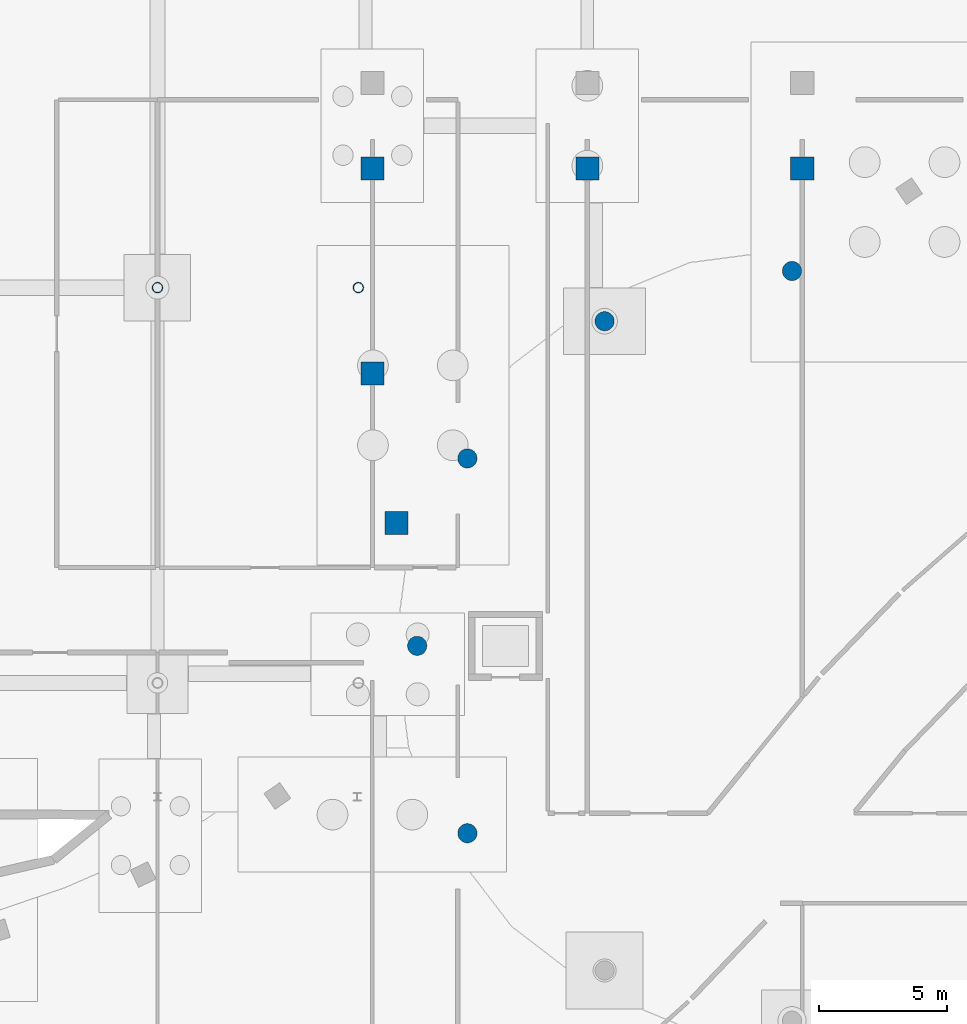
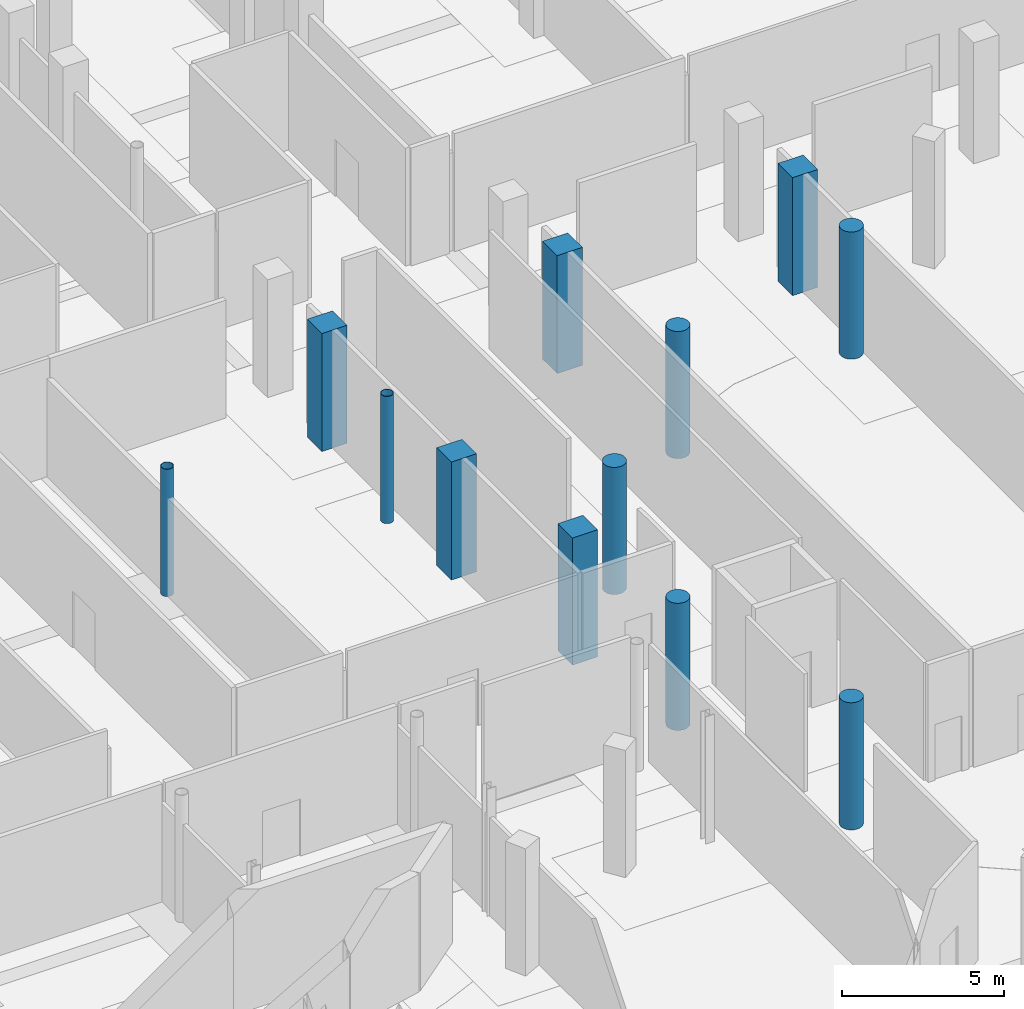
# One storey, part 15 of 45: 12 columns.
"""IFC4 building model written with IfcOpenShell, lengths in metres."""

import ifcopenshell
import ifcopenshell.guid

model = None  # the IFC model being written
_history = None  # IfcOwnerHistory: only IFC2X3 demands one
_inside = {}  # id of a spatial element -> (the spatial element, [elements in it])
_under = {}  # id of a project, library or spatial element -> (it, [spatial elements below it])
_declared = {}  # id of a project -> (the project, [libraries it declares])
_typed = {}  # id of a type object -> (the type object, [elements of that type])
_made_of = {}  # id of a material, layer set ... -> (it, [elements and type objects made of it])


def new_model(schema):
    """Start an empty IFC model of exactly this schema.

    Asked for "IFC4X3", IfcOpenShell would pick the latest addendum, in which some entities
    have other attributes; the version numbers below select the first issue.
    IFC2X3 requires an IfcOwnerHistory on every rooted entity: one is made here for all.
    """
    global model, _history
    if schema == "IFC4X3":
        model = ifcopenshell.file(schema_version=(4, 3, 0, 0))
    else:
        model = ifcopenshell.file(schema=schema)
    _inside.clear()
    _under.clear()
    _declared.clear()
    _typed.clear()
    _made_of.clear()
    _history = None
    if model.schema == "IFC2X3":
        org = make("IfcOrganization", Name="unknown")
        user = make(
            "IfcPersonAndOrganization",
            ThePerson=make("IfcPerson", FamilyName="unknown"),
            TheOrganization=org,
        )
        app = make(
            "IfcApplication",
            ApplicationDeveloper=org,
            Version="unknown",
            ApplicationFullName="unknown",
            ApplicationIdentifier="unknown",
        )
        _history = make(
            "IfcOwnerHistory",
            OwningUser=user,
            OwningApplication=app,
            ChangeAction="ADDED",
            CreationDate=0,
        )
    return model


def make(cls, **values):
    """One entity of the class cls with the attributes given. An attribute that is None is left unset."""
    return model.create_entity(
        cls, **{name: value for name, value in values.items() if value is not None}
    )


def rooted(cls, **values):
    """An entity with a GlobalId (a new one), such as an element, a storey or a relation."""
    return make(cls, GlobalId=ifcopenshell.guid.new(), OwnerHistory=_history, **values)


def si_unit(unit_type, name, prefix=None):
    """IfcSIUnit, for example si_unit("LENGTHUNIT", "METRE", prefix="MILLI")."""
    return make("IfcSIUnit", UnitType=unit_type, Prefix=prefix, Name=name)


def assignment(units):
    """IfcUnitAssignment: the units of a project."""
    return None if units is None else make("IfcUnitAssignment", Units=units)


def point(xyz):
    """IfcCartesianPoint."""
    return None if xyz is None else make("IfcCartesianPoint", Coordinates=xyz)


def direction(xyz):
    """IfcDirection."""
    return None if xyz is None else make("IfcDirection", DirectionRatios=xyz)


def frame(location, z_axis=None, x_axis=None):
    """IfcAxis2Placement3D, a coordinate frame: its origin and axes. An axis left out is left unset."""
    return make(
        "IfcAxis2Placement3D",
        Location=point(location),
        Axis=direction(z_axis),
        RefDirection=direction(x_axis),
    )


def frame_2d(location, x_axis=None):
    """IfcAxis2Placement2D, a coordinate frame in the plane: its origin and x axis."""
    return make(
        "IfcAxis2Placement2D", Location=point(location), RefDirection=direction(x_axis)
    )


def origin():
    """The frame at (0, 0, 0) with its axes left unset."""
    return frame((0.0, 0.0, 0.0))


def origin_2d():
    """The frame at (0, 0) in the plane with its x axis left unset."""
    return frame_2d((0.0, 0.0))


def place(relative_to, where):
    """IfcLocalPlacement: puts the frame where relative to a parent placement (None: the world)."""
    return make(
        "IfcLocalPlacement", PlacementRelTo=relative_to, RelativePlacement=where
    )


def context(
    kind, dimensions, precision=None, world=None, true_north=None, identifier=None
):
    """IfcGeometricRepresentationContext, for example the 3D "Model" context."""
    return make(
        "IfcGeometricRepresentationContext",
        ContextIdentifier=identifier,
        ContextType=kind,
        CoordinateSpaceDimension=dimensions,
        Precision=precision,
        WorldCoordinateSystem=world,
        TrueNorth=true_north,
    )


def subcontext(parent, identifier, kind, view, scale=None):
    """IfcGeometricRepresentationSubContext, for example "Body" below "Model"."""
    return make(
        "IfcGeometricRepresentationSubContext",
        ContextIdentifier=identifier,
        ContextType=kind,
        ParentContext=parent,
        TargetScale=scale,
        TargetView=view,
    )


def project(units=None, contexts=None):
    """IfcProject with its units and contexts."""
    return rooted(
        "IfcProject",
        Name="project",
        RepresentationContexts=contexts,
        UnitsInContext=assignment(units),
    )


def spatial(cls, under=None, at=None, **own):
    """A site, building, storey or space (cls), placed at a placement, below another one or the project."""
    s = rooted(cls, ObjectPlacement=at, **own)
    if under is not None:
        _under.setdefault(under.id(), (under, []))[1].append(s)
    return s


def profile(cls, at=None, kind="AREA", **sizes):
    """A parametric profile (cls). Its sizes go by their IFC names, for example OverallWidth=200.0."""
    return make(cls, ProfileType=kind, Position=at, **sizes)


def rectangle(**sizes):
    """IfcRectangleProfileDef."""
    return profile("IfcRectangleProfileDef", **sizes)


def circle(**sizes):
    """IfcCircleProfileDef."""
    return profile("IfcCircleProfileDef", **sizes)


def hollow_circle(**sizes):
    """IfcCircleHollowProfileDef."""
    return profile("IfcCircleHollowProfileDef", **sizes)


def extrude(swept, where, along, depth):
    """IfcExtrudedAreaSolid: the profile swept, set in the frame where, extruded along a direction by depth."""
    return make(
        "IfcExtrudedAreaSolid",
        SweptArea=swept,
        Position=where,
        ExtrudedDirection=direction(along),
        Depth=depth,
    )


def shape(context_of_items, identifier, shape_type, items):
    """IfcShapeRepresentation: the items that make up one representation, for example the "Body"."""
    return make(
        "IfcShapeRepresentation",
        ContextOfItems=context_of_items,
        RepresentationIdentifier=identifier,
        RepresentationType=shape_type,
        Items=items,
    )


def material(Name=None, Category=None):
    """IfcMaterial."""
    return make("IfcMaterial", Name=Name, Category=Category)


def material_profile(
    of_material, cross_section, Name=None, Category=None, Priority=None
):
    """IfcMaterialProfile: a cross section and its material."""
    return make(
        "IfcMaterialProfile",
        Name=Name,
        Material=of_material,
        Profile=cross_section,
        Priority=Priority,
        Category=Category,
    )


def profile_set(profiles, Name=None, composite=None):
    """IfcMaterialProfileSet."""
    return make(
        "IfcMaterialProfileSet",
        Name=Name,
        MaterialProfiles=profiles,
        CompositeProfile=composite,
    )


def made_of(thing, what):
    """Note that an element or type object is made of a material, layer set ...; save() writes the relation."""
    if what is not None:
        _made_of.setdefault(what.id(), (what, []))[1].append(thing)
    return thing


def type_object(cls, material=None, **own):
    """A type object (cls), such as IfcWallType, which elements share."""
    return made_of(rooted(cls, **own), material)


def element(
    cls,
    number,
    at=None,
    inside=None,
    cuts=None,
    type_object=None,
    material=None,
    context=None,
    identifier="Body",
    shape_type=None,
    held_by="IfcProductDefinitionShape",
    body=None,
    shapes=None,
    **own,
):
    """One element of the class cls, such as IfcWall. Its Tag is "e" and its number.

    at: its placement. inside: the storey or other place that contains it. cuts: it is an
    opening in that element (IfcRelVoidsElement). A single representation is given by context,
    identifier, shape_type and body (its items); several are given by shapes. held_by: the class
    of the entity that holds the representations. save() writes the other relations.
    """
    e = rooted(cls, Tag="e%d" % number, ObjectPlacement=at, **own)
    if body is not None:
        shapes = [shape(context, identifier, shape_type, body)]
    if shapes is not None:
        e.Representation = make(held_by, Representations=shapes)
    if inside is not None:
        _inside.setdefault(inside.id(), (inside, []))[1].append(e)
    if cuts is not None:
        rooted(
            "IfcRelVoidsElement", RelatingBuildingElement=cuts, RelatedOpeningElement=e
        )
    if type_object is not None:
        _typed.setdefault(type_object.id(), (type_object, []))[1].append(e)
    return made_of(e, material)


def aggregate(whole, parts):
    """IfcRelAggregates: a whole, such as a stair, and the parts it consists of."""
    return rooted("IfcRelAggregates", RelatingObject=whole, RelatedObjects=parts)


def save(model, path):
    """Write the relations noted so far, then the file.

    IfcRelAggregates (storeys below a building ...), IfcRelContainedInSpatialStructure (elements
    in a storey), IfcRelDefinesByType, IfcRelAssociatesMaterial and IfcRelDeclares: one each for
    every whole, place, type object, material and project.
    """
    for whole, parts in _under.values():
        aggregate(whole, parts)
    for where, things in _inside.values():
        rooted(
            "IfcRelContainedInSpatialStructure",
            RelatedElements=things,
            RelatingStructure=where,
        )
    for kind, things in _typed.values():
        rooted("IfcRelDefinesByType", RelatedObjects=things, RelatingType=kind)
    for what, things in _made_of.values():
        rooted("IfcRelAssociatesMaterial", RelatedObjects=things, RelatingMaterial=what)
    for by, libraries in _declared.values():
        rooted("IfcRelDeclares", RelatingContext=by, RelatedDefinitions=libraries)
    model.write(path)


model = new_model("IFC4")

# Units and contexts
model_context = context("Model", 3, precision=1e-05, world=origin(), true_north=direction((0.0, 1.0)))
body_context = subcontext(model_context, "Body", "Model", "MODEL_VIEW")
ifc_project = project(units=[si_unit("LENGTHUNIT", "METRE"), si_unit("AREAUNIT", "SQUARE_METRE"), si_unit("VOLUMEUNIT", "CUBIC_METRE"), si_unit("PLANEANGLEUNIT", "RADIAN"), si_unit("MASSUNIT", "GRAM", prefix="KILO")], contexts=[model_context])

# Site, building, storey
site_placement = place(None, origin())
site = spatial("IfcSite", under=ifc_project, at=site_placement, CompositionType="ELEMENT")
building_placement = place(site_placement, origin())
building = spatial("IfcBuilding", under=site, at=building_placement, Name="Selatvlak General Hospital", CompositionType="ELEMENT")
storey_placement = place(building_placement, frame((0.0, 0.0, -4.800048828125)))
storey = spatial("IfcBuildingStorey", under=building, at=storey_placement, Name="B1", CompositionType="ELEMENT", Elevation=-4.800048828125)

# Columns
ifc_material_1 = material(Name="Steel S355", Category="steel")
ifc_material_profile_1 = material_profile(ifc_material_1, hollow_circle(Radius=0.203125, WallThickness=0.01611328125, at=origin_2d()), Name="CHS 406.4x16")
ifc_profile_set_1 = profile_set([ifc_material_profile_1], Name="Steel S355")
column_type_1 = type_object("IfcColumnType", Name="COL-CHS406", PredefinedType="COLUMN", material=ifc_profile_set_1)
for number, where, z_axis, x_axis, name in (
    (1, (73.199951171875, 68.0, 0.0), (0.0, 0.0, 1.0), (1.0, 0.0, 0.0), "Column 020 on B1"),
    (2, (81.050048828125, 68.0, 0.0), (0.0, 0.0, 1.0), (1.0, 0.0, 0.0), "Column 023 on B1"),
):
    element("IfcColumn", number, at=place(storey_placement, frame(where, z_axis=z_axis, x_axis=x_axis)), inside=storey, type_object=column_type_1, Name=name, PredefinedType="COLUMN", context=body_context, shape_type="SweptSolid", body=[
        extrude(hollow_circle(Radius=0.203125, WallThickness=0.01611328125, at=origin_2d()), origin(), (0.0, 0.0, 1.0), 4.800048828125),
    ])
ifc_material_2 = material(Name="Concrete C50/60", Category="concrete")
ifc_material_profile_2 = material_profile(ifc_material_2, rectangle(XDim=0.89990234375, YDim=0.89990234375, at=origin_2d()), Name="RC-COL 900x900")
ifc_profile_set_2 = profile_set([ifc_material_profile_2], Name="Concrete C50/60")
column_type_2 = type_object("IfcColumnType", Name="COL-RC90", PredefinedType="COLUMN", material=ifc_profile_set_2)
column_placement = place(storey_placement, frame((82.550048828125, 58.800048828125, 0.0), z_axis=(0.0, 0.0, 1.0), x_axis=(1.0, 0.0, 0.0)))
element("IfcColumn", 3, at=column_placement, inside=storey, type_object=column_type_2, Name="Column 086 on B1", PredefinedType="COLUMN", context=body_context, shape_type="SweptSolid", body=[
    extrude(rectangle(XDim=0.89990234375, YDim=0.89990234375, at=origin_2d()), origin(), (0.0, 0.0, 1.0), 4.800048828125),
])
for number, where, z_axis, x_axis, name in (
    (4, (81.60009765625, 64.64990234375, 0.0), (0.0, 0.0, 1.0), (1.0, 0.0, 0.0), "Column 198 on B1"),
    (5, (81.60009765625, 72.64990234375, 0.0), (0.0, 0.0, 1.0), (1.0, 0.0, 0.0), "Column 199 on B1"),
    (6, (90.0, 72.64990234375, 0.0), (0.0, 0.0, 1.0), (1.0, 0.0, 0.0), "Column 208 on B1"),
    (7, (98.39990234375, 72.64990234375, 0.0), (0.0, 0.0, 1.0), (1.0, 0.0, 0.0), "Column 216 on B1"),
):
    element("IfcColumn", number, at=place(storey_placement, frame(where, z_axis=z_axis, x_axis=x_axis)), inside=storey, type_object=column_type_2, Name=name, PredefinedType="COLUMN", context=body_context, shape_type="SweptSolid", body=[
        extrude(rectangle(XDim=0.89990234375, YDim=0.89990234375, at=origin_2d()), origin(), (0.0, 0.0, 1.0), 4.449951171875),
    ])
ifc_material_profile_3 = material_profile(ifc_material_2, circle(Radius=0.375, at=origin_2d()), Name="RC-COL D750")
ifc_profile_set_3 = profile_set([ifc_material_profile_3], Name="Concrete C50/60")
column_type_3 = type_object("IfcColumnType", Name="COL-RCD75", PredefinedType="COLUMN", material=ifc_profile_set_3)
for number, where, z_axis, x_axis, name in (
    (8, (98.0, 68.64990234375, 0.0), (0.0, 0.0, 1.0), (0.0, 1.0, 0.0), "Column 028 on B1"),
    (9, (90.675048828125, 66.68701171875, 0.0), (0.0, 0.0, 1.0), (-0.5, 0.866025403784, 0.0), "Column 029 on B1"),
    (10, (85.31298828125, 61.324951171875, 0.0), (0.0, 0.0, 1.0), (-0.866025403784, 0.5, 0.0), "Column 030 on B1"),
    (11, (83.35009765625, 54.0, 0.0), (0.0, 0.0, 1.0), (-1.0, 0.0, 0.0), "Column 031 on B1"),
    (12, (85.31298828125, 46.675048828125, 0.0), (0.0, 0.0, 1.0), (-0.866025403784, -0.5, 0.0), "Column 032 on B1"),
):
    element("IfcColumn", number, at=place(storey_placement, frame(where, z_axis=z_axis, x_axis=x_axis)), inside=storey, type_object=column_type_3, Name=name, PredefinedType="COLUMN", context=body_context, shape_type="SweptSolid", body=[
        extrude(circle(Radius=0.375, at=origin_2d()), origin(), (0.0, 0.0, 1.0), 4.800048828125),
    ])

save(model, "model.ifc")
